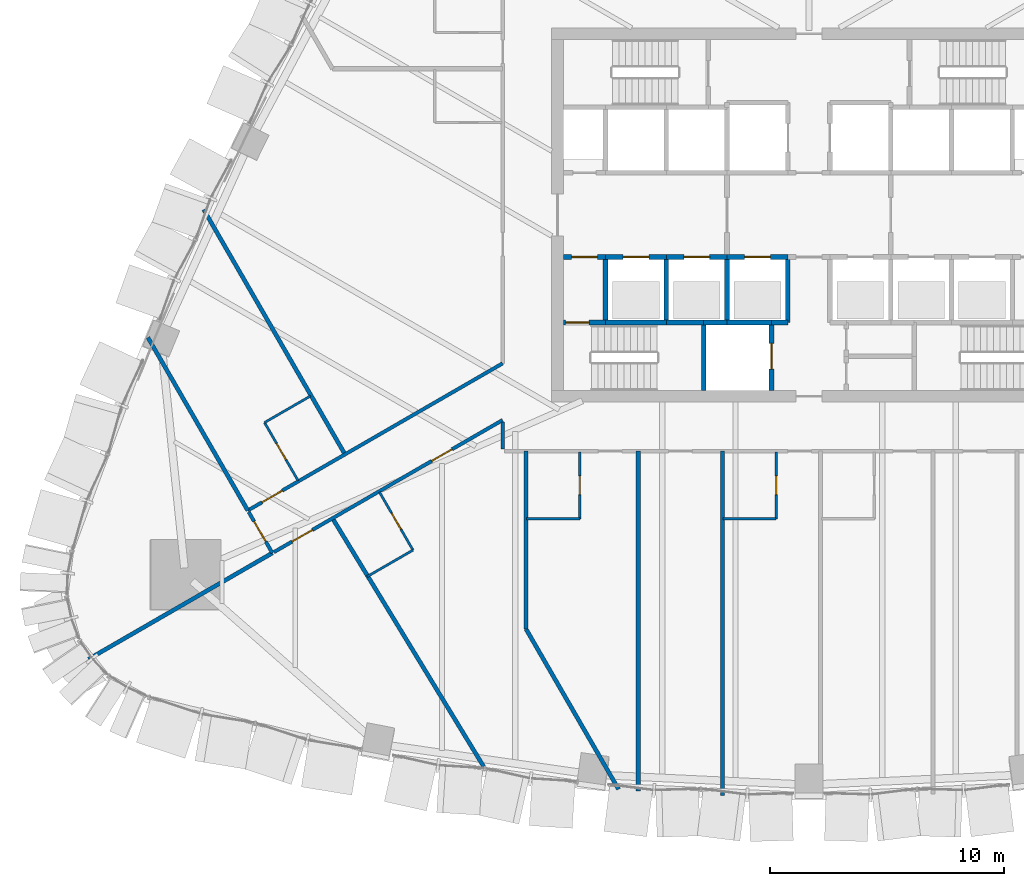
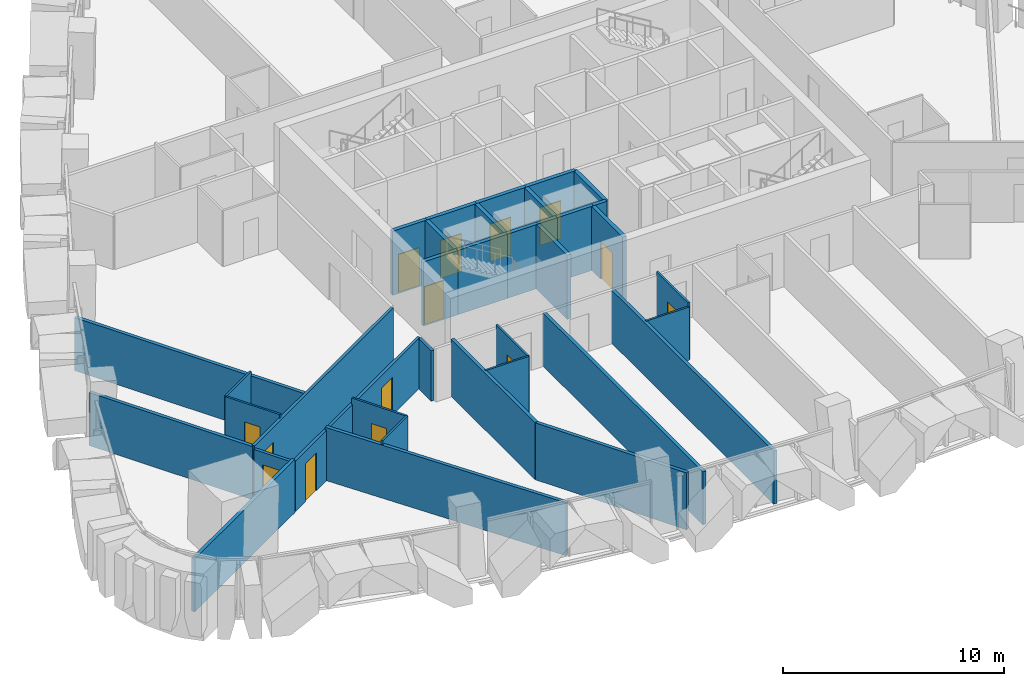
# One storey, part 13 of 22: 36 walls, 14 doors, 14 openings.
"""IFC4 building model written with IfcOpenShell, lengths in metres."""

import ifcopenshell
import ifcopenshell.guid

model = None  # the IFC model being written
_history = None  # IfcOwnerHistory: only IFC2X3 demands one
_inside = {}  # id of a spatial element -> (the spatial element, [elements in it])
_under = {}  # id of a project, library or spatial element -> (it, [spatial elements below it])
_declared = {}  # id of a project -> (the project, [libraries it declares])
_typed = {}  # id of a type object -> (the type object, [elements of that type])
_made_of = {}  # id of a material, layer set ... -> (it, [elements and type objects made of it])


def new_model(schema):
    """Start an empty IFC model of exactly this schema.

    Asked for "IFC4X3", IfcOpenShell would pick the latest addendum, in which some entities
    have other attributes; the version numbers below select the first issue.
    IFC2X3 requires an IfcOwnerHistory on every rooted entity: one is made here for all.
    """
    global model, _history
    if schema == "IFC4X3":
        model = ifcopenshell.file(schema_version=(4, 3, 0, 0))
    else:
        model = ifcopenshell.file(schema=schema)
    _inside.clear()
    _under.clear()
    _declared.clear()
    _typed.clear()
    _made_of.clear()
    _history = None
    if model.schema == "IFC2X3":
        org = make("IfcOrganization", Name="unknown")
        user = make(
            "IfcPersonAndOrganization",
            ThePerson=make("IfcPerson", FamilyName="unknown"),
            TheOrganization=org,
        )
        app = make(
            "IfcApplication",
            ApplicationDeveloper=org,
            Version="unknown",
            ApplicationFullName="unknown",
            ApplicationIdentifier="unknown",
        )
        _history = make(
            "IfcOwnerHistory",
            OwningUser=user,
            OwningApplication=app,
            ChangeAction="ADDED",
            CreationDate=0,
        )
    return model


def make(cls, **values):
    """One entity of the class cls with the attributes given. An attribute that is None is left unset."""
    return model.create_entity(
        cls, **{name: value for name, value in values.items() if value is not None}
    )


def rooted(cls, **values):
    """An entity with a GlobalId (a new one), such as an element, a storey or a relation."""
    return make(cls, GlobalId=ifcopenshell.guid.new(), OwnerHistory=_history, **values)


def si_unit(unit_type, name, prefix=None):
    """IfcSIUnit, for example si_unit("LENGTHUNIT", "METRE", prefix="MILLI")."""
    return make("IfcSIUnit", UnitType=unit_type, Prefix=prefix, Name=name)


def assignment(units):
    """IfcUnitAssignment: the units of a project."""
    return None if units is None else make("IfcUnitAssignment", Units=units)


def point(xyz):
    """IfcCartesianPoint."""
    return None if xyz is None else make("IfcCartesianPoint", Coordinates=xyz)


def direction(xyz):
    """IfcDirection."""
    return None if xyz is None else make("IfcDirection", DirectionRatios=xyz)


def frame(location, z_axis=None, x_axis=None):
    """IfcAxis2Placement3D, a coordinate frame: its origin and axes. An axis left out is left unset."""
    return make(
        "IfcAxis2Placement3D",
        Location=point(location),
        Axis=direction(z_axis),
        RefDirection=direction(x_axis),
    )


def frame_2d(location, x_axis=None):
    """IfcAxis2Placement2D, a coordinate frame in the plane: its origin and x axis."""
    return make(
        "IfcAxis2Placement2D", Location=point(location), RefDirection=direction(x_axis)
    )


def origin():
    """The frame at (0, 0, 0) with its axes left unset."""
    return frame((0.0, 0.0, 0.0))


def place(relative_to, where):
    """IfcLocalPlacement: puts the frame where relative to a parent placement (None: the world)."""
    return make(
        "IfcLocalPlacement", PlacementRelTo=relative_to, RelativePlacement=where
    )


def context(
    kind, dimensions, precision=None, world=None, true_north=None, identifier=None
):
    """IfcGeometricRepresentationContext, for example the 3D "Model" context."""
    return make(
        "IfcGeometricRepresentationContext",
        ContextIdentifier=identifier,
        ContextType=kind,
        CoordinateSpaceDimension=dimensions,
        Precision=precision,
        WorldCoordinateSystem=world,
        TrueNorth=true_north,
    )


def subcontext(parent, identifier, kind, view, scale=None):
    """IfcGeometricRepresentationSubContext, for example "Body" below "Model"."""
    return make(
        "IfcGeometricRepresentationSubContext",
        ContextIdentifier=identifier,
        ContextType=kind,
        ParentContext=parent,
        TargetScale=scale,
        TargetView=view,
    )


def project(units=None, contexts=None):
    """IfcProject with its units and contexts."""
    return rooted(
        "IfcProject",
        Name="project",
        RepresentationContexts=contexts,
        UnitsInContext=assignment(units),
    )


def spatial(cls, under=None, at=None, **own):
    """A site, building, storey or space (cls), placed at a placement, below another one or the project."""
    s = rooted(cls, ObjectPlacement=at, **own)
    if under is not None:
        _under.setdefault(under.id(), (under, []))[1].append(s)
    return s


def profile(cls, at=None, kind="AREA", **sizes):
    """A parametric profile (cls). Its sizes go by their IFC names, for example OverallWidth=200.0."""
    return make(cls, ProfileType=kind, Position=at, **sizes)


def rectangle(**sizes):
    """IfcRectangleProfileDef."""
    return profile("IfcRectangleProfileDef", **sizes)


def extrude(swept, where, along, depth):
    """IfcExtrudedAreaSolid: the profile swept, set in the frame where, extruded along a direction by depth."""
    return make(
        "IfcExtrudedAreaSolid",
        SweptArea=swept,
        Position=where,
        ExtrudedDirection=direction(along),
        Depth=depth,
    )


def shape(context_of_items, identifier, shape_type, items):
    """IfcShapeRepresentation: the items that make up one representation, for example the "Body"."""
    return make(
        "IfcShapeRepresentation",
        ContextOfItems=context_of_items,
        RepresentationIdentifier=identifier,
        RepresentationType=shape_type,
        Items=items,
    )


def material(Name=None, Category=None):
    """IfcMaterial."""
    return make("IfcMaterial", Name=Name, Category=Category)


def layer(
    of_material, thickness, ventilated=None, Name=None, Category=None, Priority=None
):
    """IfcMaterialLayer: one layer of a wall or slab, of a material (None: an air gap)."""
    return make(
        "IfcMaterialLayer",
        Material=of_material,
        LayerThickness=thickness,
        IsVentilated=ventilated,
        Name=Name,
        Category=Category,
        Priority=Priority,
    )


def layer_set(layers, Name=None):
    """IfcMaterialLayerSet."""
    return make("IfcMaterialLayerSet", MaterialLayers=layers, LayerSetName=Name)


def made_of(thing, what):
    """Note that an element or type object is made of a material, layer set ...; save() writes the relation."""
    if what is not None:
        _made_of.setdefault(what.id(), (what, []))[1].append(thing)
    return thing


def type_object(cls, material=None, **own):
    """A type object (cls), such as IfcWallType, which elements share."""
    return made_of(rooted(cls, **own), material)


def element(
    cls,
    number,
    at=None,
    inside=None,
    cuts=None,
    type_object=None,
    material=None,
    context=None,
    identifier="Body",
    shape_type=None,
    held_by="IfcProductDefinitionShape",
    body=None,
    shapes=None,
    **own,
):
    """One element of the class cls, such as IfcWall. Its Tag is "e" and its number.

    at: its placement. inside: the storey or other place that contains it. cuts: it is an
    opening in that element (IfcRelVoidsElement). A single representation is given by context,
    identifier, shape_type and body (its items); several are given by shapes. held_by: the class
    of the entity that holds the representations. save() writes the other relations.
    """
    e = rooted(cls, Tag="e%d" % number, ObjectPlacement=at, **own)
    if body is not None:
        shapes = [shape(context, identifier, shape_type, body)]
    if shapes is not None:
        e.Representation = make(held_by, Representations=shapes)
    if inside is not None:
        _inside.setdefault(inside.id(), (inside, []))[1].append(e)
    if cuts is not None:
        rooted(
            "IfcRelVoidsElement", RelatingBuildingElement=cuts, RelatedOpeningElement=e
        )
    if type_object is not None:
        _typed.setdefault(type_object.id(), (type_object, []))[1].append(e)
    return made_of(e, material)


def fill(opening, filler):
    """IfcRelFillsElement: the door or window that sits in an opening."""
    return rooted(
        "IfcRelFillsElement",
        RelatingOpeningElement=opening,
        RelatedBuildingElement=filler,
    )


def aggregate(whole, parts):
    """IfcRelAggregates: a whole, such as a stair, and the parts it consists of."""
    return rooted("IfcRelAggregates", RelatingObject=whole, RelatedObjects=parts)


def save(model, path):
    """Write the relations noted so far, then the file.

    IfcRelAggregates (storeys below a building ...), IfcRelContainedInSpatialStructure (elements
    in a storey), IfcRelDefinesByType, IfcRelAssociatesMaterial and IfcRelDeclares: one each for
    every whole, place, type object, material and project.
    """
    for whole, parts in _under.values():
        aggregate(whole, parts)
    for where, things in _inside.values():
        rooted(
            "IfcRelContainedInSpatialStructure",
            RelatedElements=things,
            RelatingStructure=where,
        )
    for kind, things in _typed.values():
        rooted("IfcRelDefinesByType", RelatedObjects=things, RelatingType=kind)
    for what, things in _made_of.values():
        rooted("IfcRelAssociatesMaterial", RelatedObjects=things, RelatingMaterial=what)
    for by, libraries in _declared.values():
        rooted("IfcRelDeclares", RelatingContext=by, RelatedDefinitions=libraries)
    model.write(path)


model = new_model("IFC4")

# Units and contexts
model_context = context("Model", 3, precision=1e-05, world=origin(), true_north=direction((0.0, 1.0)))
body_context = subcontext(model_context, "Body", "Model", "MODEL_VIEW")
ifc_project = project(units=[si_unit("LENGTHUNIT", "METRE"), si_unit("AREAUNIT", "SQUARE_METRE"), si_unit("VOLUMEUNIT", "CUBIC_METRE"), si_unit("PLANEANGLEUNIT", "RADIAN"), si_unit("MASSUNIT", "GRAM", prefix="KILO")], contexts=[model_context])

# Site, building, storey
site_placement = place(None, origin())
site = spatial("IfcSite", under=ifc_project, at=site_placement, CompositionType="ELEMENT")
building_placement = place(site_placement, origin())
building = spatial("IfcBuilding", under=site, at=building_placement, Name="Sierra Prisma Convention Tower", CompositionType="ELEMENT")
storey_placement = place(building_placement, frame((0.0, 0.0, 66.5)))
storey = spatial("IfcBuildingStorey", under=building, at=storey_placement, Name="L12", CompositionType="ELEMENT", Elevation=66.5)

# Wall, opening, door
ifc_material_1 = material(Name="Gypsum board partition", Category="gypsum")
ifc_layer_1 = layer(ifc_material_1, 0.10009765625)
ifc_layer_set_1 = layer_set([ifc_layer_1], Name="Bathroom partition 100")
wall_type_1 = type_object("IfcWallType", Name="Bathroom partition 100", PredefinedType="PARTITIONING", material=ifc_layer_set_1)
wall_1_placement = place(storey_placement, frame((-21.846435546875, -11.365966796875, 0.0), z_axis=(0.0, 0.0, 1.0), x_axis=(-0.500036638401, 0.866004249561, 0.0)))
wall_1 = element("IfcWall", 1, at=wall_1_placement, inside=storey, type_object=wall_type_1, Name="Partition L12 bath 1", PredefinedType="PARTITIONING", context=body_context, shape_type="SweptSolid", body=[
    extrude(rectangle(XDim=2.869873046875, YDim=0.10009765625, at=frame_2d((1.43505859375, 0.0))), origin(), (0.0, 0.0, 1.0), 3.14990234375),
])
opening_1_placement = place(wall_1_placement, frame((1.034912109375, 0.0, 0.0)))
opening_1 = element("IfcOpeningElement", 2, at=opening_1_placement, cuts=wall_1, Name="Opening L12-D007", PredefinedType="OPENING", context=body_context, shape_type="SweptSolid", body=[
    extrude(rectangle(XDim=0.800048828125, YDim=2.10009765625, at=frame_2d((0.39990234375, 1.050048828125))), frame((0.0, 0.050048828125, 0.0), z_axis=(0.0, -1.0, 0.0), x_axis=(1.0, 0.0, 0.0)), (0.0, 0.0, 1.0), 0.10009765625),
])
ifc_material_2 = material(Name="Solid core timber door leaf", Category="wood")
door_type_1 = type_object("IfcDoorType", Name="Door 800x2100 plain", OperationType="SINGLE_SWING_LEFT", PredefinedType="DOOR", material=ifc_material_2)
door_1_placement = place(opening_1_placement, origin())
door_1 = element("IfcDoor", 3, at=door_1_placement, inside=storey, type_object=door_type_1, Name="Door L12 16", OperationType="SINGLE_SWING_RIGHT", OverallHeight=2.10009765625, OverallWidth=0.800048828125, PredefinedType="DOOR", context=body_context, shape_type="SweptSolid", body=[
    extrude(rectangle(XDim=0.800048828125, YDim=2.10009765625, at=frame_2d((0.39990234375, 1.050048828125))), frame((0.0, 0.02490234375, 0.0), z_axis=(0.0, -1.0, 0.0), x_axis=(1.0, 0.0, 0.0)), (0.0, 0.0, 1.0), 0.050048828125),
])
fill(opening_1, door_1)

# Wall
wall_2_placement = place(storey_placement, frame((-23.281494140625, -8.880615234375, 0.0), z_axis=(0.0, 0.0, 1.0), x_axis=(0.866017224141, 0.500014167291, 0.0)))
element("IfcWall", 4, at=wall_2_placement, inside=storey, type_object=wall_type_1, Name="Partition L12 bath 2", PredefinedType="PARTITIONING", context=body_context, shape_type="SweptSolid", body=[
    extrude(rectangle(XDim=2.27001953125, YDim=0.10009765625, at=frame_2d((1.135009765625, 0.0))), origin(), (0.0, 0.0, 1.0), 3.14990234375),
])

# Wall, opening, door
wall_3_placement = place(storey_placement, frame((-18.367919921875, -11.851806640625, 0.0), z_axis=(0.0, 0.0, 1.0), x_axis=(0.500036638401, -0.866004249561, 0.0)))
wall_3 = element("IfcWall", 5, at=wall_3_placement, inside=storey, type_object=wall_type_1, Name="Partition L12 bath 3", PredefinedType="PARTITIONING", context=body_context, shape_type="SweptSolid", body=[
    extrude(rectangle(XDim=2.869873046875, YDim=0.10009765625, at=frame_2d((1.43505859375, 0.0))), origin(), (0.0, 0.0, 1.0), 3.14990234375),
])
opening_2_placement = place(wall_3_placement, frame((1.034912109375, 0.0, 0.0)))
opening_2 = element("IfcOpeningElement", 6, at=opening_2_placement, cuts=wall_3, Name="Opening L12-D008", PredefinedType="OPENING", context=body_context, shape_type="SweptSolid", body=[
    extrude(rectangle(XDim=0.800048828125, YDim=2.10009765625, at=frame_2d((0.39990234375, 1.050048828125))), frame((0.0, 0.050048828125, 0.0), z_axis=(0.0, -1.0, 0.0), x_axis=(1.0, 0.0, 0.0)), (0.0, 0.0, 1.0), 0.10009765625),
])
door_2_placement = place(opening_2_placement, origin())
door_2 = element("IfcDoor", 7, at=door_2_placement, inside=storey, type_object=door_type_1, Name="Door L12 20", OperationType="SINGLE_SWING_RIGHT", OverallHeight=2.10009765625, OverallWidth=0.800048828125, PredefinedType="DOOR", context=body_context, shape_type="SweptSolid", body=[
    extrude(rectangle(XDim=0.800048828125, YDim=2.10009765625, at=frame_2d((0.39990234375, 1.050048828125))), frame((0.0, 0.02490234375, 0.0), z_axis=(0.0, -1.0, 0.0), x_axis=(1.0, 0.0, 0.0)), (0.0, 0.0, 1.0), 0.050048828125),
])
fill(opening_2, door_2)

# Wall
wall_4_placement = place(storey_placement, frame((-16.932861328125, -14.337158203125, 0.0), z_axis=(0.0, 0.0, 1.0), x_axis=(-0.866017224141, -0.500014167291, 0.0)))
element("IfcWall", 8, at=wall_4_placement, inside=storey, type_object=wall_type_1, Name="Partition L12 bath 4", PredefinedType="PARTITIONING", context=body_context, shape_type="SweptSolid", body=[
    extrude(rectangle(XDim=2.27001953125, YDim=0.10009765625, at=frame_2d((1.135009765625, 0.0))), origin(), (0.0, 0.0, 1.0), 3.14990234375),
])

# Wall, opening, door
wall_5_placement = place(storey_placement, frame((-9.800048828125, -10.1298828125, 0.0), z_axis=(0.0, 0.0, 1.0), x_axis=(0.0, -1.0, 0.0)))
wall_5 = element("IfcWall", 9, at=wall_5_placement, inside=storey, type_object=wall_type_1, Name="Partition L12 bath 9", PredefinedType="PARTITIONING", context=body_context, shape_type="SweptSolid", body=[
    extrude(rectangle(XDim=2.8701171875, YDim=0.10009765625, at=frame_2d((1.43505859375, 0.0))), origin(), (0.0, 0.0, 1.0), 3.14990234375),
])
opening_3_placement = place(wall_5_placement, frame((1.034912109375, 0.0, 0.0)))
opening_3 = element("IfcOpeningElement", 10, at=opening_3_placement, cuts=wall_5, Name="Opening L12-D009", PredefinedType="OPENING", context=body_context, shape_type="SweptSolid", body=[
    extrude(rectangle(XDim=0.800048828125, YDim=2.10009765625, at=frame_2d((0.39990234375, 1.050048828125))), frame((0.0, 0.050048828125, 0.0), z_axis=(0.0, -1.0, 0.0), x_axis=(1.0, 0.0, 0.0)), (0.0, 0.0, 1.0), 0.10009765625),
])
door_3_placement = place(opening_3_placement, origin())
door_3 = element("IfcDoor", 11, at=door_3_placement, inside=storey, type_object=door_type_1, Name="Door L12 22", OperationType="SINGLE_SWING_LEFT", OverallHeight=2.10009765625, OverallWidth=0.800048828125, PredefinedType="DOOR", context=body_context, shape_type="SweptSolid", body=[
    extrude(rectangle(XDim=0.800048828125, YDim=2.10009765625, at=frame_2d((0.39990234375, 1.050048828125))), frame((0.0, 0.02490234375, 0.0), z_axis=(0.0, -1.0, 0.0), x_axis=(1.0, 0.0, 0.0)), (0.0, 0.0, 1.0), 0.050048828125),
])
fill(opening_3, door_3)

# Wall
wall_6_placement = place(storey_placement, frame((-9.800048828125, -13.0, 0.0), z_axis=(0.0, 0.0, 1.0), x_axis=(-1.0, 0.0, 0.0)))
element("IfcWall", 12, at=wall_6_placement, inside=storey, type_object=wall_type_1, Name="Partition L12 bath 10", PredefinedType="PARTITIONING", context=body_context, shape_type="SweptSolid", body=[
    extrude(rectangle(XDim=2.27001953125, YDim=0.10009765625, at=frame_2d((1.135009765625, 0.0))), origin(), (0.0, 0.0, 1.0), 3.14990234375),
])

# Wall, opening, door
wall_7_placement = place(storey_placement, frame((-1.39990234375, -10.1298828125, 0.0), z_axis=(0.0, 0.0, 1.0), x_axis=(0.0, -1.0, 0.0)))
wall_7 = element("IfcWall", 13, at=wall_7_placement, inside=storey, type_object=wall_type_1, Name="Partition L12 bath 13", PredefinedType="PARTITIONING", context=body_context, shape_type="SweptSolid", body=[
    extrude(rectangle(XDim=2.8701171875, YDim=0.10009765625, at=frame_2d((1.43505859375, 0.0))), origin(), (0.0, 0.0, 1.0), 3.14990234375),
])
opening_4_placement = place(wall_7_placement, frame((1.034912109375, 0.0, 0.0)))
opening_4 = element("IfcOpeningElement", 14, at=opening_4_placement, cuts=wall_7, Name="Opening L12-D010", PredefinedType="OPENING", context=body_context, shape_type="SweptSolid", body=[
    extrude(rectangle(XDim=0.800048828125, YDim=2.10009765625, at=frame_2d((0.39990234375, 1.050048828125))), frame((0.0, 0.050048828125, 0.0), z_axis=(0.0, -1.0, 0.0), x_axis=(1.0, 0.0, 0.0)), (0.0, 0.0, 1.0), 0.10009765625),
])
door_4_placement = place(opening_4_placement, origin())
door_4 = element("IfcDoor", 15, at=door_4_placement, inside=storey, type_object=door_type_1, Name="Door L12 25", OperationType="SINGLE_SWING_LEFT", OverallHeight=2.10009765625, OverallWidth=0.800048828125, PredefinedType="DOOR", context=body_context, shape_type="SweptSolid", body=[
    extrude(rectangle(XDim=0.800048828125, YDim=2.10009765625, at=frame_2d((0.39990234375, 1.050048828125))), frame((0.0, 0.02490234375, 0.0), z_axis=(0.0, -1.0, 0.0), x_axis=(1.0, 0.0, 0.0)), (0.0, 0.0, 1.0), 0.050048828125),
])
fill(opening_4, door_4)

# Wall
wall_8_placement = place(storey_placement, frame((-1.39990234375, -13.0, 0.0), z_axis=(0.0, 0.0, 1.0), x_axis=(-1.0, 0.0, 0.0)))
element("IfcWall", 16, at=wall_8_placement, inside=storey, type_object=wall_type_1, Name="Partition L12 bath 14", PredefinedType="PARTITIONING", context=body_context, shape_type="SweptSolid", body=[
    extrude(rectangle(XDim=2.27001953125, YDim=0.10009765625, at=frame_2d((1.135009765625, 0.0))), origin(), (0.0, 0.0, 1.0), 2.947021484375),
])

# Wall, opening, door
ifc_material_3 = material(Name="Concrete C30/37", Category="concrete")
ifc_layer_2 = layer(ifc_material_3, 0.199951171875)
ifc_layer_set_2 = layer_set([ifc_layer_2], Name="Core wall RC 200 C30/37")
wall_type_2 = type_object("IfcWallType", Name="Core wall RC 200 C30/37", PredefinedType="SOLIDWALL", material=ifc_layer_set_2)
wall_9_placement = place(storey_placement, frame((-10.5, -4.60009765625, 0.0), z_axis=(0.0, 0.0, 1.0), x_axis=(1.0, 0.0, 0.0)))
wall_9 = element("IfcWall", 17, at=wall_9_placement, inside=storey, type_object=wall_type_2, Name="Core wall L12 1", PredefinedType="SOLIDWALL", context=body_context, shape_type="SweptSolid", body=[
    extrude(rectangle(XDim=1.800048828125, YDim=0.199951171875, at=frame_2d((0.89990234375, 0.0))), origin(), (0.0, 0.0, 1.0), 3.550048828125),
])
opening_5_placement = place(wall_9_placement, frame((0.10009765625, 0.0, 0.0)))
opening_5 = element("IfcOpeningElement", 18, at=opening_5_placement, cuts=wall_9, Name="Opening L12-D033", PredefinedType="OPENING", context=body_context, shape_type="SweptSolid", body=[
    extrude(rectangle(XDim=1.0, YDim=2.10009765625, at=frame_2d((0.5, 1.050048828125))), frame((0.0, 0.10009765625, 0.0), z_axis=(0.0, -1.0, 0.0), x_axis=(1.0, 0.0, 0.0)), (0.0, 0.0, 1.0), 0.199951171875),
])
ifc_material_4 = material(Name="Steel fire door leaf", Category="steel")
door_type_2 = type_object("IfcDoorType", Name="Door 1000x2100 FD90S", OperationType="SINGLE_SWING_LEFT", PredefinedType="DOOR", material=ifc_material_4)
door_5_placement = place(opening_5_placement, origin())
door_5 = element("IfcDoor", 19, at=door_5_placement, inside=storey, type_object=door_type_2, Name="Door L12 55", OperationType="SINGLE_SWING_LEFT", OverallHeight=2.10009765625, OverallWidth=1.0, PredefinedType="DOOR", context=body_context, shape_type="SweptSolid", body=[
    extrude(rectangle(XDim=1.0, YDim=2.10009765625, at=frame_2d((0.5, 1.050048828125))), frame((0.0, 0.02490234375, 0.0), z_axis=(0.0, -1.0, 0.0), x_axis=(1.0, 0.0, 0.0)), (0.0, 0.0, 1.0), 0.050048828125),
])
fill(opening_5, door_5)

wall_10_placement = place(storey_placement, frame((-10.5, -1.800048828125, 0.0), z_axis=(0.0, 0.0, 1.0), x_axis=(1.0, 0.0, 0.0)))
wall_10 = element("IfcWall", 20, at=wall_10_placement, inside=storey, type_object=wall_type_2, Name="Core wall L12 2", PredefinedType="SOLIDWALL", context=body_context, shape_type="SweptSolid", body=[
    extrude(rectangle(XDim=1.800048828125, YDim=0.199951171875, at=frame_2d((0.89990234375, 0.0))), origin(), (0.0, 0.0, 1.0), 3.550048828125),
])
opening_6_placement = place(wall_10_placement, frame((0.35009765625, 0.0, 0.0)))
opening_6 = element("IfcOpeningElement", 21, at=opening_6_placement, cuts=wall_10, Name="Opening L12-D027", PredefinedType="OPENING", context=body_context, shape_type="SweptSolid", body=[
    extrude(rectangle(XDim=1.10009765625, YDim=2.10009765625, at=frame_2d((0.550048828125, 1.050048828125))), frame((0.0, 0.10009765625, 0.0), z_axis=(0.0, -1.0, 0.0), x_axis=(1.0, 0.0, 0.0)), (0.0, 0.0, 1.0), 0.199951171875),
])
ifc_material_5 = material(Name="Steel fire door leaf", Category="steel")
door_type_3 = type_object("IfcDoorType", Name="Door 1100x2100 FD90S", OperationType="SINGLE_SWING_LEFT", PredefinedType="DOOR", material=ifc_material_5)
door_6_placement = place(opening_6_placement, origin())
door_6 = element("IfcDoor", 22, at=door_6_placement, inside=storey, type_object=door_type_3, Name="Door L12 49", OperationType="SINGLE_SWING_RIGHT", OverallHeight=2.10009765625, OverallWidth=1.10009765625, PredefinedType="DOOR", context=body_context, shape_type="SweptSolid", body=[
    extrude(rectangle(XDim=1.10009765625, YDim=2.10009765625, at=frame_2d((0.550048828125, 1.050048828125))), frame((0.0, 0.02490234375, 0.0), z_axis=(0.0, -1.0, 0.0), x_axis=(1.0, 0.0, 0.0)), (0.0, 0.0, 1.0), 0.050048828125),
])
fill(opening_6, door_6)

# Walls
wall_11_placement = place(storey_placement, frame((-8.699951171875, -4.60009765625, 0.0), z_axis=(0.0, 0.0, 1.0), x_axis=(1.0, 0.0, 0.0)))
element("IfcWall", 23, at=wall_11_placement, inside=storey, type_object=wall_type_2, Name="Core wall L12 5", PredefinedType="SOLIDWALL", context=body_context, shape_type="SweptSolid", body=[
    extrude(rectangle(XDim=2.599853515625, YDim=0.199951171875, at=frame_2d((1.2998046875, 0.0))), origin(), (0.0, 0.0, 1.0), 3.550048828125),
])
wall_12_placement = place(storey_placement, frame((-8.699951171875, -4.60009765625, 0.0), z_axis=(0.0, 0.0, 1.0), x_axis=(0.0, 1.0, 0.0)))
element("IfcWall", 24, at=wall_12_placement, inside=storey, type_object=wall_type_2, Name="Core wall L12 6", PredefinedType="SOLIDWALL", context=body_context, shape_type="SweptSolid", body=[
    extrude(rectangle(XDim=2.800048828125, YDim=0.199951171875, at=frame_2d((1.39990234375, 0.0))), origin(), (0.0, 0.0, 1.0), 3.550048828125),
])

# Wall, opening, door
wall_13_placement = place(storey_placement, frame((-8.699951171875, -1.800048828125, 0.0), z_axis=(0.0, 0.0, 1.0), x_axis=(1.0, 0.0, 0.0)))
wall_13 = element("IfcWall", 25, at=wall_13_placement, inside=storey, type_object=wall_type_2, Name="Core wall L12 7", PredefinedType="SOLIDWALL", context=body_context, shape_type="SweptSolid", body=[
    extrude(rectangle(XDim=2.599853515625, YDim=0.199951171875, at=frame_2d((1.2998046875, 0.0))), origin(), (0.0, 0.0, 1.0), 3.550048828125),
])
opening_7_placement = place(wall_13_placement, frame((0.75, 0.0, 0.0)))
opening_7 = element("IfcOpeningElement", 26, at=opening_7_placement, cuts=wall_13, Name="Opening L12-D016", PredefinedType="OPENING", context=body_context, shape_type="SweptSolid", body=[
    extrude(rectangle(XDim=1.10009765625, YDim=2.10009765625, at=frame_2d((0.550048828125, 1.050048828125))), frame((0.0, 0.10009765625, 0.0), z_axis=(0.0, -1.0, 0.0), x_axis=(1.0, 0.0, 0.0)), (0.0, 0.0, 1.0), 0.199951171875),
])
ifc_material_6 = material(Name="Steel fire door leaf", Category="steel")
door_type_4 = type_object("IfcDoorType", Name="Door 1100x2100 EI 90 sliding lift landing", OperationType="SLIDING_TO_LEFT", PredefinedType="DOOR", material=ifc_material_6)
door_7_placement = place(opening_7_placement, origin())
door_7 = element("IfcDoor", 27, at=door_7_placement, inside=storey, type_object=door_type_4, Name="Door L12 38", OperationType="SLIDING_TO_LEFT", OverallHeight=2.10009765625, OverallWidth=1.10009765625, PredefinedType="DOOR", context=body_context, shape_type="SweptSolid", body=[
    extrude(rectangle(XDim=1.10009765625, YDim=2.10009765625, at=frame_2d((0.550048828125, 1.050048828125))), frame((0.0, 0.02490234375, 0.0), z_axis=(0.0, -1.0, 0.0), x_axis=(1.0, 0.0, 0.0)), (0.0, 0.0, 1.0), 0.050048828125),
])
fill(opening_7, door_7)

# Walls
wall_14_placement = place(storey_placement, frame((-6.10009765625, -4.60009765625, 0.0), z_axis=(0.0, 0.0, 1.0), x_axis=(1.0, 0.0, 0.0)))
element("IfcWall", 28, at=wall_14_placement, inside=storey, type_object=wall_type_2, Name="Core wall L12 11", PredefinedType="SOLIDWALL", context=body_context, shape_type="SweptSolid", body=[
    extrude(rectangle(XDim=1.60009765625, YDim=0.199951171875, at=frame_2d((0.800048828125, 0.0))), origin(), (0.0, 0.0, 1.0), 3.550048828125),
])
wall_15_placement = place(storey_placement, frame((-6.10009765625, -4.60009765625, 0.0), z_axis=(0.0, 0.0, 1.0), x_axis=(0.0, 1.0, 0.0)))
element("IfcWall", 29, at=wall_15_placement, inside=storey, type_object=wall_type_2, Name="Core wall L12 12", PredefinedType="SOLIDWALL", context=body_context, shape_type="SweptSolid", body=[
    extrude(rectangle(XDim=2.800048828125, YDim=0.199951171875, at=frame_2d((1.39990234375, 0.0))), origin(), (0.0, 0.0, 1.0), 3.550048828125),
])

# Wall, opening, door
wall_16_placement = place(storey_placement, frame((-6.10009765625, -1.800048828125, 0.0), z_axis=(0.0, 0.0, 1.0), x_axis=(1.0, 0.0, 0.0)))
wall_16 = element("IfcWall", 30, at=wall_16_placement, inside=storey, type_object=wall_type_2, Name="Core wall L12 13", PredefinedType="SOLIDWALL", context=body_context, shape_type="SweptSolid", body=[
    extrude(rectangle(XDim=2.60009765625, YDim=0.199951171875, at=frame_2d((1.300048828125, 0.0))), origin(), (0.0, 0.0, 1.0), 3.550048828125),
])
opening_8_placement = place(wall_16_placement, frame((0.75, 0.0, 0.0)))
opening_8 = element("IfcOpeningElement", 31, at=opening_8_placement, cuts=wall_16, Name="Opening L12-D017", PredefinedType="OPENING", context=body_context, shape_type="SweptSolid", body=[
    extrude(rectangle(XDim=1.10009765625, YDim=2.10009765625, at=frame_2d((0.550048828125, 1.050048828125))), frame((0.0, 0.10009765625, 0.0), z_axis=(0.0, -1.0, 0.0), x_axis=(1.0, 0.0, 0.0)), (0.0, 0.0, 1.0), 0.199951171875),
])
door_8_placement = place(opening_8_placement, origin())
door_8 = element("IfcDoor", 32, at=door_8_placement, inside=storey, type_object=door_type_4, Name="Door L12 39", OperationType="SLIDING_TO_LEFT", OverallHeight=2.10009765625, OverallWidth=1.10009765625, PredefinedType="DOOR", context=body_context, shape_type="SweptSolid", body=[
    extrude(rectangle(XDim=1.10009765625, YDim=2.10009765625, at=frame_2d((0.550048828125, 1.050048828125))), frame((0.0, 0.02490234375, 0.0), z_axis=(0.0, -1.0, 0.0), x_axis=(1.0, 0.0, 0.0)), (0.0, 0.0, 1.0), 0.050048828125),
])
fill(opening_8, door_8)

# Walls
wall_17_placement = place(storey_placement, frame((-4.5, -4.60009765625, 0.0), z_axis=(0.0, 0.0, 1.0), x_axis=(0.0, -1.0, 0.0)))
element("IfcWall", 33, at=wall_17_placement, inside=storey, type_object=wall_type_2, Name="Core wall L12 17", PredefinedType="SOLIDWALL", context=body_context, shape_type="SweptSolid", body=[
    extrude(rectangle(XDim=2.89990234375, YDim=0.199951171875, at=frame_2d((1.449951171875, 0.0))), origin(), (0.0, 0.0, 1.0), 3.550048828125),
])
wall_18_placement = place(storey_placement, frame((-4.5, -4.60009765625, 0.0), z_axis=(0.0, 0.0, 1.0), x_axis=(1.0, 0.0, 0.0)))
element("IfcWall", 34, at=wall_18_placement, inside=storey, type_object=wall_type_2, Name="Core wall L12 18", PredefinedType="SOLIDWALL", context=body_context, shape_type="SweptSolid", body=[
    extrude(rectangle(XDim=1.0, YDim=0.199951171875, at=frame_2d((0.5, 0.0))), origin(), (0.0, 0.0, 1.0), 3.550048828125),
])
wall_19_placement = place(storey_placement, frame((-3.5, -4.60009765625, 0.0), z_axis=(0.0, 0.0, 1.0), x_axis=(1.0, 0.0, 0.0)))
element("IfcWall", 35, at=wall_19_placement, inside=storey, type_object=wall_type_2, Name="Core wall L12 21", PredefinedType="SOLIDWALL", context=body_context, shape_type="SweptSolid", body=[
    extrude(rectangle(XDim=1.89990234375, YDim=0.199951171875, at=frame_2d((0.949951171875, 0.0))), origin(), (0.0, 0.0, 1.0), 3.550048828125),
])
wall_20_placement = place(storey_placement, frame((-3.5, -4.60009765625, 0.0), z_axis=(0.0, 0.0, 1.0), x_axis=(0.0, 1.0, 0.0)))
element("IfcWall", 36, at=wall_20_placement, inside=storey, type_object=wall_type_2, Name="Core wall L12 22", PredefinedType="SOLIDWALL", context=body_context, shape_type="SweptSolid", body=[
    extrude(rectangle(XDim=2.800048828125, YDim=0.199951171875, at=frame_2d((1.39990234375, 0.0))), origin(), (0.0, 0.0, 1.0), 3.550048828125),
])

# Wall, opening, door
wall_21_placement = place(storey_placement, frame((-3.5, -1.800048828125, 0.0), z_axis=(0.0, 0.0, 1.0), x_axis=(1.0, 0.0, 0.0)))
wall_21 = element("IfcWall", 37, at=wall_21_placement, inside=storey, type_object=wall_type_2, Name="Core wall L12 23", PredefinedType="SOLIDWALL", context=body_context, shape_type="SweptSolid", body=[
    extrude(rectangle(XDim=2.60009765625, YDim=0.199951171875, at=frame_2d((1.300048828125, 0.0))), origin(), (0.0, 0.0, 1.0), 3.550048828125),
])
opening_9_placement = place(wall_21_placement, frame((0.75, 0.0, 0.0)))
opening_9 = element("IfcOpeningElement", 38, at=opening_9_placement, cuts=wall_21, Name="Opening L12-D018", PredefinedType="OPENING", context=body_context, shape_type="SweptSolid", body=[
    extrude(rectangle(XDim=1.10009765625, YDim=2.10009765625, at=frame_2d((0.550048828125, 1.050048828125))), frame((0.0, 0.10009765625, 0.0), z_axis=(0.0, -1.0, 0.0), x_axis=(1.0, 0.0, 0.0)), (0.0, 0.0, 1.0), 0.199951171875),
])
door_9_placement = place(opening_9_placement, origin())
door_9 = element("IfcDoor", 39, at=door_9_placement, inside=storey, type_object=door_type_4, Name="Door L12 40", OperationType="SLIDING_TO_RIGHT", OverallHeight=2.10009765625, OverallWidth=1.10009765625, PredefinedType="DOOR", context=body_context, shape_type="SweptSolid", body=[
    extrude(rectangle(XDim=1.10009765625, YDim=2.10009765625, at=frame_2d((0.550048828125, 1.050048828125))), frame((0.0, 0.02490234375, 0.0), z_axis=(0.0, -1.0, 0.0), x_axis=(1.0, 0.0, 0.0)), (0.0, 0.0, 1.0), 0.050048828125),
])
fill(opening_9, door_9)

wall_22_placement = place(storey_placement, frame((-1.60009765625, -7.5, 0.0), z_axis=(0.0, 0.0, 1.0), x_axis=(0.0, 1.0, 0.0)))
wall_22 = element("IfcWall", 40, at=wall_22_placement, inside=storey, type_object=wall_type_2, Name="Core wall L12 30", PredefinedType="SOLIDWALL", context=body_context, shape_type="SweptSolid", body=[
    extrude(rectangle(XDim=2.89990234375, YDim=0.199951171875, at=frame_2d((1.449951171875, 0.0))), origin(), (0.0, 0.0, 1.0), 3.550048828125),
])
opening_10_placement = place(wall_22_placement, frame((0.89990234375, 0.0, 0.0)))
opening_10 = element("IfcOpeningElement", 41, at=opening_10_placement, cuts=wall_22, Name="Opening L12-D024", PredefinedType="OPENING", context=body_context, shape_type="SweptSolid", body=[
    extrude(rectangle(XDim=1.10009765625, YDim=2.10009765625, at=frame_2d((0.550048828125, 1.050048828125))), frame((0.0, 0.10009765625, 0.0), z_axis=(0.0, -1.0, 0.0), x_axis=(1.0, 0.0, 0.0)), (0.0, 0.0, 1.0), 0.199951171875),
])
door_10_placement = place(opening_10_placement, origin())
door_10 = element("IfcDoor", 42, at=door_10_placement, inside=storey, type_object=door_type_4, Name="Door L12 46", OperationType="SLIDING_TO_RIGHT", OverallHeight=2.10009765625, OverallWidth=1.10009765625, PredefinedType="DOOR", context=body_context, shape_type="SweptSolid", body=[
    extrude(rectangle(XDim=1.10009765625, YDim=2.10009765625, at=frame_2d((0.550048828125, 1.050048828125))), frame((0.0, 0.02490234375, 0.0), z_axis=(0.0, -1.0, 0.0), x_axis=(1.0, 0.0, 0.0)), (0.0, 0.0, 1.0), 0.050048828125),
])
fill(opening_10, door_10)

# Walls
wall_23_placement = place(storey_placement, frame((-1.60009765625, -4.60009765625, 0.0), z_axis=(0.0, 0.0, 1.0), x_axis=(1.0, 0.0, 0.0)))
element("IfcWall", 43, at=wall_23_placement, inside=storey, type_object=wall_type_2, Name="Core wall L12 31", PredefinedType="SOLIDWALL", context=body_context, shape_type="SweptSolid", body=[
    extrude(rectangle(XDim=0.7001953125, YDim=0.199951171875, at=frame_2d((0.35009765625, 0.0))), origin(), (0.0, 0.0, 1.0), 3.550048828125),
])
wall_24_placement = place(storey_placement, frame((-0.89990234375, -4.60009765625, 0.0), z_axis=(0.0, 0.0, 1.0), x_axis=(0.0, 1.0, 0.0)))
element("IfcWall", 44, at=wall_24_placement, inside=storey, type_object=wall_type_2, Name="Core wall L12 32", PredefinedType="SOLIDWALL", context=body_context, shape_type="SweptSolid", body=[
    extrude(rectangle(XDim=2.800048828125, YDim=0.199951171875, at=frame_2d((1.39990234375, 0.0))), origin(), (0.0, 0.0, 1.0), 3.550048828125),
])

# Wall, opening, door
ifc_material_7 = material(Name="Gypsum board partition", Category="gypsum")
ifc_layer_3 = layer(ifc_material_7, 0.14990234375)
ifc_layer_set_3 = layer_set([ifc_layer_3], Name="Corridor wall 150 gypsum EI 60")
wall_type_3 = type_object("IfcWallType", Name="Corridor wall 150 gypsum EI 60", PredefinedType="PARTITIONING", material=ifc_layer_set_3)
wall_25_placement = place(storey_placement, frame((-13.10009765625, -6.350830078125, 0.0), z_axis=(0.0, 0.0, 1.0), x_axis=(-0.86601949893, -0.500010227369, 0.0)))
wall_25 = element("IfcWall", 45, at=wall_25_placement, inside=storey, type_object=wall_type_3, Name="Partition L12 corr 1", PredefinedType="PARTITIONING", context=body_context, shape_type="SweptSolid", body=[
    extrude(rectangle(XDim=12.582275390625, YDim=0.14990234375, at=frame_2d((6.291015625, 0.0))), origin(), (0.0, 0.0, 1.0), 2.947021484375),
])
opening_11_placement = place(wall_25_placement, frame((10.882080078125, 0.0, 0.0)))
opening_11 = element("IfcOpeningElement", 46, at=opening_11_placement, cuts=wall_25, Name="Opening L12-D047", PredefinedType="OPENING", context=body_context, shape_type="SweptSolid", body=[
    extrude(rectangle(XDim=1.0, YDim=2.10009765625, at=frame_2d((0.5, 1.050048828125))), frame((0.0, 0.074951171875, 0.0), z_axis=(0.0, -1.0, 0.0), x_axis=(1.0, 0.0, 0.0)), (0.0, 0.0, 1.0), 0.14990234375),
])
ifc_material_8 = material(Name="Steel fire door leaf", Category="steel")
door_type_5 = type_object("IfcDoorType", Name="Door 1000x2100 FD30S", OperationType="SINGLE_SWING_LEFT", PredefinedType="DOOR", material=ifc_material_8)
door_11_placement = place(opening_11_placement, origin())
door_11 = element("IfcDoor", 47, at=door_11_placement, inside=storey, type_object=door_type_5, Name="Door L12 15", OperationType="SINGLE_SWING_LEFT", OverallHeight=2.10009765625, OverallWidth=1.0, PredefinedType="DOOR", context=body_context, shape_type="SweptSolid", body=[
    extrude(rectangle(XDim=1.0, YDim=2.10009765625, at=frame_2d((0.5, 1.050048828125))), frame((0.0, 0.02490234375, 0.0), z_axis=(0.0, -1.0, 0.0), x_axis=(1.0, 0.0, 0.0)), (0.0, 0.0, 1.0), 0.050048828125),
])
fill(opening_11, door_11)

wall_26_placement = place(storey_placement, frame((-23.95654296875, -12.711181640625, 0.0), z_axis=(0.0, 0.0, 1.0), x_axis=(0.499973530083, -0.866040685659, 0.0)))
wall_26 = element("IfcWall", 48, at=wall_26_placement, inside=storey, type_object=wall_type_3, Name="Partition L12 corr 2", PredefinedType="PARTITIONING", context=body_context, shape_type="SweptSolid", body=[
    extrude(rectangle(XDim=2.02001953125, YDim=0.14990234375, at=frame_2d((1.010009765625, 0.0))), origin(), (0.0, 0.0, 1.0), 2.797119140625),
])
opening_12_placement = place(wall_26_placement, frame((0.4599609375, 0.0, 0.0)))
opening_12 = element("IfcOpeningElement", 49, at=opening_12_placement, cuts=wall_26, Name="Opening L12-D048", PredefinedType="OPENING", context=body_context, shape_type="SweptSolid", body=[
    extrude(rectangle(XDim=1.0, YDim=2.10009765625, at=frame_2d((0.5, 1.050048828125))), frame((0.0, 0.074951171875, 0.0), z_axis=(0.0, -1.0, 0.0), x_axis=(1.0, 0.0, 0.0)), (0.0, 0.0, 1.0), 0.14990234375),
])
door_12_placement = place(opening_12_placement, origin())
door_12 = element("IfcDoor", 50, at=door_12_placement, inside=storey, type_object=door_type_5, Name="Door L12 17", OperationType="SINGLE_SWING_LEFT", OverallHeight=2.10009765625, OverallWidth=1.0, PredefinedType="DOOR", context=body_context, shape_type="SweptSolid", body=[
    extrude(rectangle(XDim=1.0, YDim=2.10009765625, at=frame_2d((0.5, 1.050048828125))), frame((0.0, 0.02490234375, 0.0), z_axis=(0.0, -1.0, 0.0), x_axis=(1.0, 0.0, 0.0)), (0.0, 0.0, 1.0), 0.050048828125),
])
fill(opening_12, door_12)

# Wall, openings, doors
wall_27_placement = place(storey_placement, frame((-22.877197265625, -14.420654296875, 0.0), z_axis=(0.0, 0.0, 1.0), x_axis=(0.86601740905, 0.500013847031, 0.0)))
wall_27 = element("IfcWall", 51, at=wall_27_placement, inside=storey, type_object=wall_type_3, Name="Partition L12 corr 3", PredefinedType="PARTITIONING", context=body_context, shape_type="SweptSolid", body=[
    extrude(rectangle(XDim=11.289794921875, YDim=0.14990234375, at=frame_2d((5.64501953125, 0.0))), origin(), (0.0, 0.0, 1.0), 2.797119140625),
])
opening_13_placement = place(wall_27_placement, frame((0.89501953125, 0.0, 0.0)))
opening_13 = element("IfcOpeningElement", 52, at=opening_13_placement, cuts=wall_27, Name="Opening L12-D049", PredefinedType="OPENING", context=body_context, shape_type="SweptSolid", body=[
    extrude(rectangle(XDim=1.0, YDim=2.10009765625, at=frame_2d((0.5, 1.050048828125))), frame((0.0, 0.074951171875, 0.0), z_axis=(0.0, -1.0, 0.0), x_axis=(1.0, 0.0, 0.0)), (0.0, 0.0, 1.0), 0.14990234375),
])
opening_14_placement = place(wall_27_placement, frame((7.789794921875, 0.0, 0.0)))
opening_14 = element("IfcOpeningElement", 53, at=opening_14_placement, cuts=wall_27, Name="Opening L12-D050", PredefinedType="OPENING", context=body_context, shape_type="SweptSolid", body=[
    extrude(rectangle(XDim=1.0, YDim=2.10009765625, at=frame_2d((0.5, 1.050048828125))), frame((0.0, 0.074951171875, 0.0), z_axis=(0.0, -1.0, 0.0), x_axis=(1.0, 0.0, 0.0)), (0.0, 0.0, 1.0), 0.14990234375),
])
door_13_placement = place(opening_13_placement, origin())
door_13 = element("IfcDoor", 54, at=door_13_placement, inside=storey, type_object=door_type_5, Name="Door L12 18", OperationType="SINGLE_SWING_LEFT", OverallHeight=2.10009765625, OverallWidth=1.0, PredefinedType="DOOR", context=body_context, shape_type="SweptSolid", body=[
    extrude(rectangle(XDim=1.0, YDim=2.10009765625, at=frame_2d((0.5, 1.050048828125))), frame((0.0, 0.02490234375, 0.0), z_axis=(0.0, -1.0, 0.0), x_axis=(1.0, 0.0, 0.0)), (0.0, 0.0, 1.0), 0.050048828125),
])
fill(opening_13, door_13)
door_14_placement = place(opening_14_placement, origin())
door_14 = element("IfcDoor", 55, at=door_14_placement, inside=storey, type_object=door_type_5, Name="Door L12 19", OperationType="SINGLE_SWING_LEFT", OverallHeight=2.10009765625, OverallWidth=1.0, PredefinedType="DOOR", context=body_context, shape_type="SweptSolid", body=[
    extrude(rectangle(XDim=1.0, YDim=2.10009765625, at=frame_2d((0.5, 1.050048828125))), frame((0.0, 0.02490234375, 0.0), z_axis=(0.0, -1.0, 0.0), x_axis=(1.0, 0.0, 0.0)), (0.0, 0.0, 1.0), 0.050048828125),
])
fill(opening_14, door_14)

# Walls
wall_28_placement = place(storey_placement, frame((-13.10009765625, -8.8671875, 0.0), z_axis=(0.0, 0.0, 1.0), x_axis=(0.0, -1.0, 0.0)))
element("IfcWall", 56, at=wall_28_placement, inside=storey, type_object=wall_type_3, Name="Partition L12 corr 4", PredefinedType="PARTITIONING", context=body_context, shape_type="SweptSolid", body=[
    extrude(rectangle(XDim=1.15283203125, YDim=0.14990234375, at=frame_2d((0.576416015625, 0.0))), origin(), (0.0, 0.0, 1.0), 2.797119140625),
])
ifc_material_9 = material(Name="Acoustic gypsum board partition", Category="gypsum")
ifc_layer_4 = layer(ifc_material_9, 0.175048828125)
ifc_layer_set_4 = layer_set([ifc_layer_4], Name="Guest room party wall 175 acoustic EI 60")
wall_type_4 = type_object("IfcWallType", Name="Guest room party wall 175 acoustic EI 60", PredefinedType="PARTITIONING", material=ifc_layer_set_4)
wall_29_placement = place(storey_placement, frame((-22.946533203125, -14.460693359375, 0.0), z_axis=(0.0, 0.0, 1.0), x_axis=(-0.866030311917, -0.499991498769, 0.0)))
element("IfcWall", 57, at=wall_29_placement, inside=storey, type_object=wall_type_4, Name="Partition L12 hparty 1", PredefinedType="PARTITIONING", context=body_context, shape_type="SweptSolid", body=[
    extrude(rectangle(XDim=9.085693359375, YDim=0.175048828125, at=frame_2d((4.54296875, 0.0))), origin(), (0.0, 0.0, 1.0), 2.93408203125),
])
wall_30_placement = place(storey_placement, frame((-23.99658203125, -12.64208984375, 0.0), z_axis=(0.0, 0.0, 1.0), x_axis=(-0.49999045727, 0.866030913212, 0.0)))
element("IfcWall", 58, at=wall_30_placement, inside=storey, type_object=wall_type_4, Name="Partition L12 hparty 2", PredefinedType="PARTITIONING", context=body_context, shape_type="SweptSolid", body=[
    extrude(rectangle(XDim=8.542724609375, YDim=0.175048828125, at=frame_2d((4.271484375, 0.0))), origin(), (0.0, 0.0, 1.0), 2.93408203125),
])
wall_31_placement = place(storey_placement, frame((-19.839599609375, -10.241943359375, 0.0), z_axis=(0.0, 0.0, 1.0), x_axis=(-0.499991787927, 0.866030144975, 0.0)))
element("IfcWall", 59, at=wall_31_placement, inside=storey, type_object=wall_type_4, Name="Partition L12 hparty 3", PredefinedType="PARTITIONING", context=body_context, shape_type="SweptSolid", body=[
    extrude(rectangle(XDim=12.083740234375, YDim=0.175048828125, at=frame_2d((6.0419921875, 0.0))), origin(), (0.0, 0.0, 1.0), 2.93408203125),
])
wall_32_placement = place(storey_placement, frame((-13.908203125, -23.595947265625, 0.0), z_axis=(0.0, 0.0, 1.0), x_axis=(-0.520049098653, 0.854136367912, 0.0)))
element("IfcWall", 60, at=wall_32_placement, inside=storey, type_object=wall_type_4, Name="Partition L12 hparty 7", PredefinedType="PARTITIONING", context=body_context, shape_type="SweptSolid", body=[
    extrude(rectangle(XDim=12.43408203125, YDim=0.175048828125, at=frame_2d((6.217041015625, 0.0))), origin(), (0.0, 0.0, 1.0), 2.93408203125),
])
wall_33_placement = place(storey_placement, frame((-12.10009765625, -10.10009765625, 0.0), z_axis=(0.0, 0.0, 1.0), x_axis=(0.0, -1.0, 0.0)))
element("IfcWall", 61, at=wall_33_placement, inside=storey, type_object=wall_type_4, Name="Partition L12 hparty 8", PredefinedType="PARTITIONING", context=body_context, shape_type="SweptSolid", body=[
    extrude(rectangle(XDim=7.607666015625, YDim=0.175048828125, at=frame_2d((3.8037109375, 0.0))), origin(), (0.0, 0.0, 1.0), 3.14990234375),
])
wall_34_placement = place(storey_placement, frame((-12.10009765625, -17.707763671875, 0.0), z_axis=(0.0, 0.0, 1.0), x_axis=(0.500006299954, -0.866021766474, 0.0)))
element("IfcWall", 62, at=wall_34_placement, inside=storey, type_object=wall_type_4, Name="Partition L12 hparty 9", PredefinedType="PARTITIONING", context=body_context, shape_type="SweptSolid", body=[
    extrude(rectangle(XDim=7.9169921875, YDim=0.175048828125, at=frame_2d((3.95849609375, 0.0))), origin(), (0.0, 0.0, 1.0), 3.14990234375),
])
wall_35_placement = place(storey_placement, frame((-7.300048828125, -10.10009765625, 0.0), z_axis=(0.0, 0.0, 1.0), x_axis=(0.0, -1.0, 0.0)))
element("IfcWall", 63, at=wall_35_placement, inside=storey, type_object=wall_type_4, Name="Partition L12 hparty 11", PredefinedType="PARTITIONING", context=body_context, shape_type="SweptSolid", body=[
    extrude(rectangle(XDim=14.53173828125, YDim=0.175048828125, at=frame_2d((7.265869140625, 0.0))), origin(), (0.0, 0.0, 1.0), 2.93408203125),
])
wall_36_placement = place(storey_placement, frame((-3.699951171875, -24.831787109375, 0.0), z_axis=(0.0, 0.0, 1.0), x_axis=(0.0, 1.0, 0.0)))
element("IfcWall", 64, at=wall_36_placement, inside=storey, type_object=wall_type_4, Name="Partition L12 hparty 12", PredefinedType="PARTITIONING", context=body_context, shape_type="SweptSolid", body=[
    extrude(rectangle(XDim=14.731689453125, YDim=0.175048828125, at=frame_2d((7.36572265625, 0.0))), origin(), (0.0, 0.0, 1.0), 2.93408203125),
])

save(model, "model.ifc")
